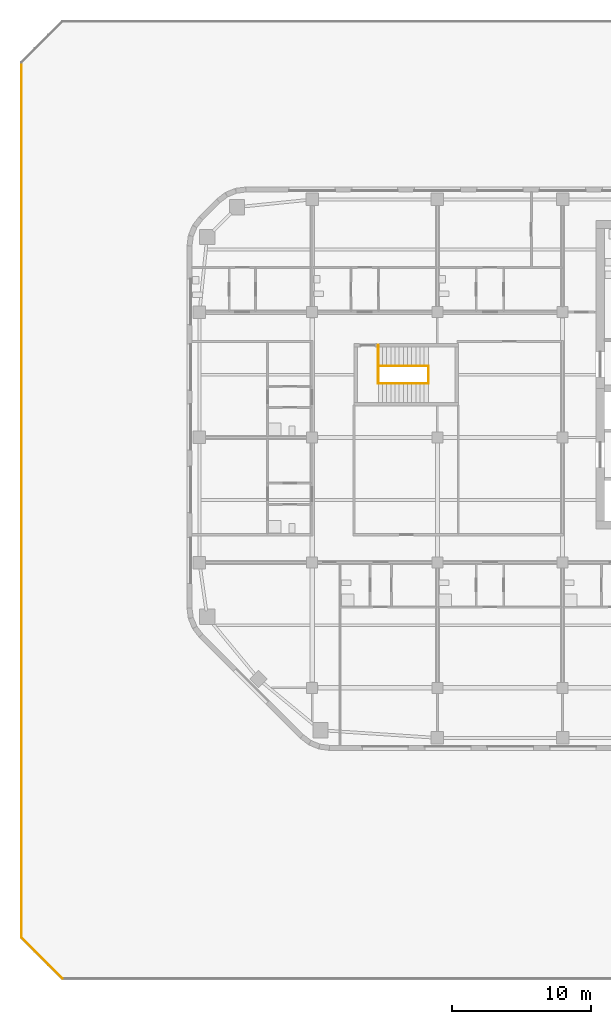
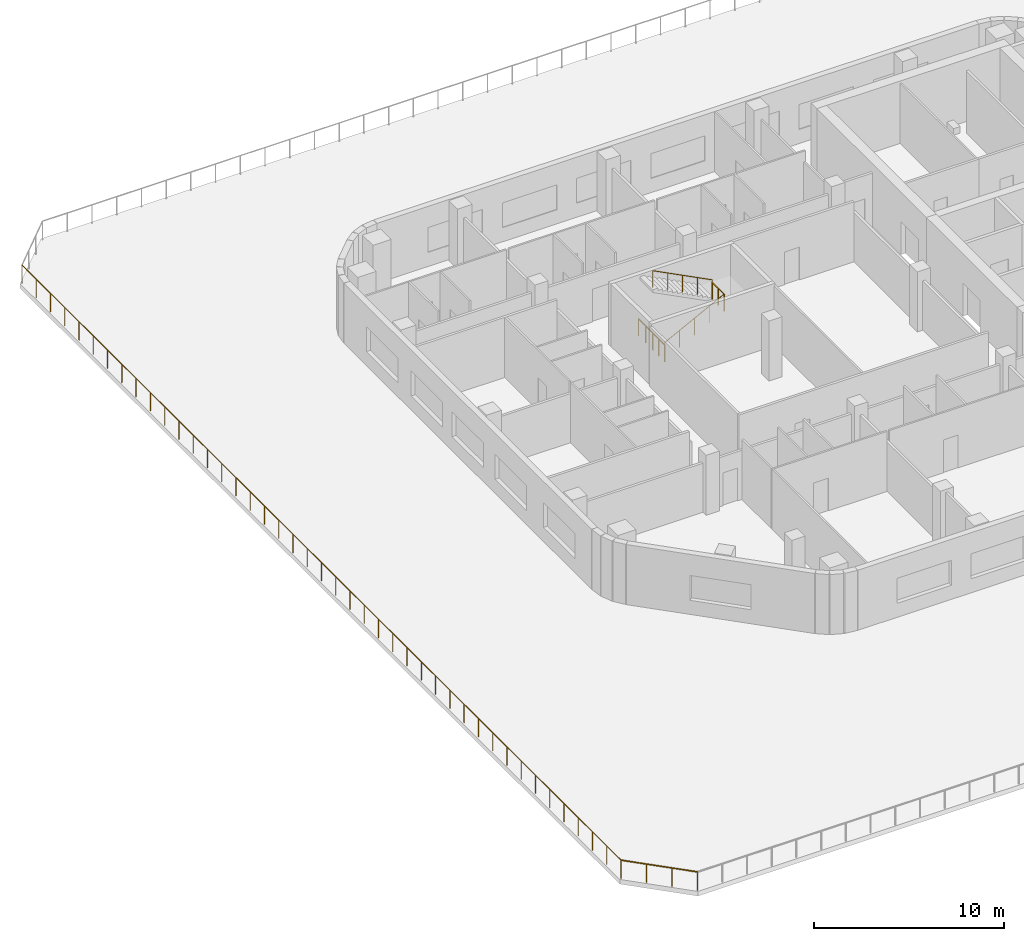
# One storey, part 14 of 18: 7 railings.
"""IFC4 building model written with IfcOpenShell, lengths in metres."""

from ifc_helpers import new_model, si_unit, direction, frame, origin, origin_2d, place, context, subcontext, project, spatial, circle, extrude, material, type_object, element, save


model = new_model("IFC4")

# Units and contexts
model_context = context("Model", 3, precision=1e-05, world=origin(), true_north=direction((0.0, 1.0)))
body_context = subcontext(model_context, "Body", "Model", "MODEL_VIEW")
ifc_project = project(units=[si_unit("LENGTHUNIT", "METRE"), si_unit("AREAUNIT", "SQUARE_METRE"), si_unit("VOLUMEUNIT", "CUBIC_METRE"), si_unit("PLANEANGLEUNIT", "RADIAN"), si_unit("MASSUNIT", "GRAM", prefix="KILO")], contexts=[model_context])

# Site, building, storey
site_placement = place(None, origin())
site = spatial("IfcSite", under=ifc_project, at=site_placement, CompositionType="ELEMENT")
building_placement = place(site_placement, origin())
building = spatial("IfcBuilding", under=site, at=building_placement, Name="Cinnabar Reach Civic Tower", CompositionType="ELEMENT")
storey_placement = place(building_placement, frame((0.0, 0.0, 26.0)))
storey = spatial("IfcBuildingStorey", under=building, at=storey_placement, Name="L05", CompositionType="ELEMENT", Elevation=26.0)

# Railings
ifc_material = material(Name="Stainless steel", Category="steel")
railing_type_1 = type_object("IfcRailingType", Name="Facade terrace guard 1200", PredefinedType="GUARDRAIL", material=ifc_material)
railing_1_placement = place(storey_placement, frame((-83.9, -8.9586, 0.0)))
element("IfcRailing", 1, at=railing_1_placement, inside=storey, type_object=railing_type_1, Name="Terrace guard", PredefinedType="GUARDRAIL", context=body_context, shape_type="SweptSolid", body=[
    extrude(circle(Radius=0.024, at=origin_2d()), frame((0.0, 0.0, 1.176), z_axis=(0.0, 1.0, 0.0), x_axis=(-1.0, 0.0, 0.0)), (0.0, 0.0, 1.0), 62.9172),
    extrude(circle(Radius=0.021, at=origin_2d()), origin(), (0.0, 0.0, 1.0), 1.152),
    extrude(circle(Radius=0.021, at=origin_2d()), frame((0.0, 1.498, 0.0)), (0.0, 0.0, 1.0), 1.152),
    extrude(circle(Radius=0.021, at=origin_2d()), frame((0.0, 2.9961, 0.0)), (0.0, 0.0, 1.0), 1.152),
    extrude(circle(Radius=0.021, at=origin_2d()), frame((0.0, 4.4941, 0.0)), (0.0, 0.0, 1.0), 1.152),
    extrude(circle(Radius=0.021, at=origin_2d()), frame((0.0, 5.9921, 0.0)), (0.0, 0.0, 1.0), 1.152),
    extrude(circle(Radius=0.021, at=origin_2d()), frame((0.0, 7.4901, 0.0)), (0.0, 0.0, 1.0), 1.152),
    extrude(circle(Radius=0.021, at=origin_2d()), frame((0.0, 8.9882, 0.0)), (0.0, 0.0, 1.0), 1.152),
    extrude(circle(Radius=0.021, at=origin_2d()), frame((0.0, 10.4862, 0.0)), (0.0, 0.0, 1.0), 1.152),
    extrude(circle(Radius=0.021, at=origin_2d()), frame((0.0, 11.9842, 0.0)), (0.0, 0.0, 1.0), 1.152),
    extrude(circle(Radius=0.021, at=origin_2d()), frame((0.0, 13.4823, 0.0)), (0.0, 0.0, 1.0), 1.152),
    extrude(circle(Radius=0.021, at=origin_2d()), frame((0.0, 14.9803, 0.0)), (0.0, 0.0, 1.0), 1.152),
    extrude(circle(Radius=0.021, at=origin_2d()), frame((0.0, 16.4783, 0.0)), (0.0, 0.0, 1.0), 1.152),
    extrude(circle(Radius=0.021, at=origin_2d()), frame((0.0, 17.9763, 0.0)), (0.0, 0.0, 1.0), 1.152),
    extrude(circle(Radius=0.021, at=origin_2d()), frame((0.0, 19.4744, 0.0)), (0.0, 0.0, 1.0), 1.152),
    extrude(circle(Radius=0.021, at=origin_2d()), frame((0.0, 20.9724, 0.0)), (0.0, 0.0, 1.0), 1.152),
    extrude(circle(Radius=0.021, at=origin_2d()), frame((0.0, 22.4704, 0.0)), (0.0, 0.0, 1.0), 1.152),
    extrude(circle(Radius=0.021, at=origin_2d()), frame((0.0, 23.9685, 0.0)), (0.0, 0.0, 1.0), 1.152),
    extrude(circle(Radius=0.021, at=origin_2d()), frame((0.0, 25.4665, 0.0)), (0.0, 0.0, 1.0), 1.152),
    extrude(circle(Radius=0.021, at=origin_2d()), frame((0.0, 26.9645, 0.0)), (0.0, 0.0, 1.0), 1.152),
    extrude(circle(Radius=0.021, at=origin_2d()), frame((0.0, 28.4625, 0.0)), (0.0, 0.0, 1.0), 1.152),
    extrude(circle(Radius=0.021, at=origin_2d()), frame((0.0, 29.9606, 0.0)), (0.0, 0.0, 1.0), 1.152),
    extrude(circle(Radius=0.021, at=origin_2d()), frame((0.0, 31.4586, 0.0)), (0.0, 0.0, 1.0), 1.152),
    extrude(circle(Radius=0.021, at=origin_2d()), frame((0.0, 32.9566, 0.0)), (0.0, 0.0, 1.0), 1.152),
    extrude(circle(Radius=0.021, at=origin_2d()), frame((0.0, 34.4547, 0.0)), (0.0, 0.0, 1.0), 1.152),
    extrude(circle(Radius=0.021, at=origin_2d()), frame((0.0, 35.9527, 0.0)), (0.0, 0.0, 1.0), 1.152),
    extrude(circle(Radius=0.021, at=origin_2d()), frame((0.0, 37.4507, 0.0)), (0.0, 0.0, 1.0), 1.152),
    extrude(circle(Radius=0.021, at=origin_2d()), frame((0.0, 38.9487, 0.0)), (0.0, 0.0, 1.0), 1.152),
    extrude(circle(Radius=0.021, at=origin_2d()), frame((0.0, 40.4468, 0.0)), (0.0, 0.0, 1.0), 1.152),
    extrude(circle(Radius=0.021, at=origin_2d()), frame((0.0, 41.9448, 0.0)), (0.0, 0.0, 1.0), 1.152),
    extrude(circle(Radius=0.021, at=origin_2d()), frame((0.0, 43.4428, 0.0)), (0.0, 0.0, 1.0), 1.152),
    extrude(circle(Radius=0.021, at=origin_2d()), frame((0.0, 44.9409, 0.0)), (0.0, 0.0, 1.0), 1.152),
    extrude(circle(Radius=0.021, at=origin_2d()), frame((0.0, 46.4389, 0.0)), (0.0, 0.0, 1.0), 1.152),
    extrude(circle(Radius=0.021, at=origin_2d()), frame((0.0, 47.9369, 0.0)), (0.0, 0.0, 1.0), 1.152),
    extrude(circle(Radius=0.021, at=origin_2d()), frame((0.0, 49.4349, 0.0)), (0.0, 0.0, 1.0), 1.152),
    extrude(circle(Radius=0.021, at=origin_2d()), frame((0.0, 50.933, 0.0)), (0.0, 0.0, 1.0), 1.152),
    extrude(circle(Radius=0.021, at=origin_2d()), frame((0.0, 52.431, 0.0)), (0.0, 0.0, 1.0), 1.152),
    extrude(circle(Radius=0.021, at=origin_2d()), frame((0.0, 53.929, 0.0)), (0.0, 0.0, 1.0), 1.152),
    extrude(circle(Radius=0.021, at=origin_2d()), frame((0.0, 55.4271, 0.0)), (0.0, 0.0, 1.0), 1.152),
    extrude(circle(Radius=0.021, at=origin_2d()), frame((0.0, 56.9251, 0.0)), (0.0, 0.0, 1.0), 1.152),
    extrude(circle(Radius=0.021, at=origin_2d()), frame((0.0, 58.4231, 0.0)), (0.0, 0.0, 1.0), 1.152),
    extrude(circle(Radius=0.021, at=origin_2d()), frame((0.0, 59.9211, 0.0)), (0.0, 0.0, 1.0), 1.152),
    extrude(circle(Radius=0.021, at=origin_2d()), frame((0.0, 61.4192, 0.0)), (0.0, 0.0, 1.0), 1.152),
    extrude(circle(Radius=0.021, at=origin_2d()), frame((0.0, 62.9172, 0.0)), (0.0, 0.0, 1.0), 1.152),
])
railing_2_placement = place(storey_placement, frame((-80.9586, -11.9, 0.0)))
element("IfcRailing", 2, at=railing_2_placement, inside=storey, type_object=railing_type_1, Name="Terrace guard", PredefinedType="GUARDRAIL", context=body_context, shape_type="SweptSolid", body=[
    extrude(circle(Radius=0.024, at=origin_2d()), frame((0.0, 0.0, 1.176), z_axis=(-0.707106781187, 0.707106781187, 0.0), x_axis=(-0.707106781187, -0.707106781187, 0.0)), (0.0, 0.0, 1.0), 4.1598),
    extrude(circle(Radius=0.021, at=origin_2d()), origin(), (0.0, 0.0, 1.0), 1.152),
    extrude(circle(Radius=0.021, at=origin_2d()), frame((-0.9805, 0.9805, 0.0)), (0.0, 0.0, 1.0), 1.152),
    extrude(circle(Radius=0.021, at=origin_2d()), frame((-1.9609, 1.9609, 0.0)), (0.0, 0.0, 1.0), 1.152),
    extrude(circle(Radius=0.021, at=origin_2d()), frame((-2.9414, 2.9414, 0.0)), (0.0, 0.0, 1.0), 1.152),
])
railing_type_2 = type_object("IfcRailingType", Name="T2 Stair guard 1100", PredefinedType="GUARDRAIL", material=ifc_material)
railing_3_placement = place(storey_placement, frame((-58.25, 30.875, 0.0)))
element("IfcRailing", 3, at=railing_3_placement, inside=storey, type_object=railing_type_2, Name="Stair guard 3", PredefinedType="GUARDRAIL", context=body_context, shape_type="SweptSolid", body=[
    extrude(circle(Radius=0.024, at=origin_2d()), frame((0.0, 0.0, 1.076), z_axis=(0.0, 1.0, 0.0), x_axis=(-1.0, 0.0, 0.0)), (0.0, 0.0, 1.0), 1.25),
    extrude(circle(Radius=0.021, at=origin_2d()), origin(), (0.0, 0.0, 1.0), 1.052),
    extrude(circle(Radius=0.021, at=origin_2d()), frame((0.0, 0.625, 0.0)), (0.0, 0.0, 1.0), 1.052),
    extrude(circle(Radius=0.021, at=origin_2d()), frame((0.0, 1.25, 0.0)), (0.0, 0.0, 1.0), 1.052),
])
railing_4_placement = place(storey_placement, frame((-58.25, 32.125, 0.0)))
element("IfcRailing", 4, at=railing_4_placement, inside=storey, type_object=railing_type_2, Name="Stair guard 3", PredefinedType="GUARDRAIL", context=body_context, shape_type="SweptSolid", body=[
    extrude(circle(Radius=0.024, at=origin_2d()), frame((0.0, 0.0, 1.076), z_axis=(0.0, 1.0, 0.0), x_axis=(-1.0, 0.0, 0.0)), (0.0, 0.0, 1.0), 1.5),
    extrude(circle(Radius=0.021, at=origin_2d()), origin(), (0.0, 0.0, 1.0), 1.052),
    extrude(circle(Radius=0.021, at=origin_2d()), frame((0.0, 0.75, 0.0)), (0.0, 0.0, 1.0), 1.052),
    extrude(circle(Radius=0.021, at=origin_2d()), frame((0.0, 1.5, 0.0)), (0.0, 0.0, 1.0), 1.052),
])
railing_5_placement = place(storey_placement, frame((-54.65, 30.875, 2.0)))
element("IfcRailing", 5, at=railing_5_placement, inside=storey, type_object=railing_type_2, Name="Stair guard 3", PredefinedType="GUARDRAIL", context=body_context, shape_type="SweptSolid", body=[
    extrude(circle(Radius=0.024, at=origin_2d()), frame((0.0, 0.0, 1.076), z_axis=(0.0, 1.0, 0.0), x_axis=(-1.0, 0.0, 0.0)), (0.0, 0.0, 1.0), 1.25),
    extrude(circle(Radius=0.021, at=origin_2d()), origin(), (0.0, 0.0, 1.0), 1.052),
    extrude(circle(Radius=0.021, at=origin_2d()), frame((0.0, 0.625, 0.0)), (0.0, 0.0, 1.0), 1.052),
    extrude(circle(Radius=0.021, at=origin_2d()), frame((0.0, 1.25, 0.0)), (0.0, 0.0, 1.0), 1.052),
])
railing_6_placement = place(storey_placement, frame((-58.25, 30.875, 0.1538)))
element("IfcRailing", 6, at=railing_6_placement, inside=storey, type_object=railing_type_2, Name="Stair guard 3", PredefinedType="GUARDRAIL", context=body_context, shape_type="SweptSolid", body=[
    extrude(circle(Radius=0.024, at=origin_2d()), frame((0.0, 0.0, 1.076), z_axis=(0.889812830738, 0.0, 0.45632568003), x_axis=(0.0, 1.0, 0.0)), (0.0, 0.0, 1.0), 4.0458),
    extrude(circle(Radius=0.021, at=origin_2d()), origin(), (0.0, 0.0, 1.0), 1.052),
    extrude(circle(Radius=0.021, at=origin_2d()), frame((0.9, 0.0, 0.4615)), (0.0, 0.0, 1.0), 1.052),
    extrude(circle(Radius=0.021, at=origin_2d()), frame((1.8, 0.0, 0.9231)), (0.0, 0.0, 1.0), 1.052),
    extrude(circle(Radius=0.021, at=origin_2d()), frame((2.7, 0.0, 1.3846)), (0.0, 0.0, 1.0), 1.052),
    extrude(circle(Radius=0.021, at=origin_2d()), frame((3.6, 0.0, 1.8462)), (0.0, 0.0, 1.0), 1.052),
])
railing_7_placement = place(storey_placement, frame((-54.65, 32.125, 2.1538)))
element("IfcRailing", 7, at=railing_7_placement, inside=storey, type_object=railing_type_2, Name="Stair guard 3", PredefinedType="GUARDRAIL", context=body_context, shape_type="SweptSolid", body=[
    extrude(circle(Radius=0.024, at=origin_2d()), frame((0.0, 0.0, 1.076), z_axis=(-0.889812830738, 0.0, 0.45632568003), x_axis=(0.0, -1.0, 0.0)), (0.0, 0.0, 1.0), 4.0458),
    extrude(circle(Radius=0.021, at=origin_2d()), origin(), (0.0, 0.0, 1.0), 1.052),
    extrude(circle(Radius=0.021, at=origin_2d()), frame((-0.9, 0.0, 0.4615)), (0.0, 0.0, 1.0), 1.052),
    extrude(circle(Radius=0.021, at=origin_2d()), frame((-1.8, 0.0, 0.9231)), (0.0, 0.0, 1.0), 1.052),
    extrude(circle(Radius=0.021, at=origin_2d()), frame((-2.7, 0.0, 1.3846)), (0.0, 0.0, 1.0), 1.052),
    extrude(circle(Radius=0.021, at=origin_2d()), frame((-3.6, 0.0, 1.8462)), (0.0, 0.0, 1.0), 1.052),
])

save(model, "model.ifc")
